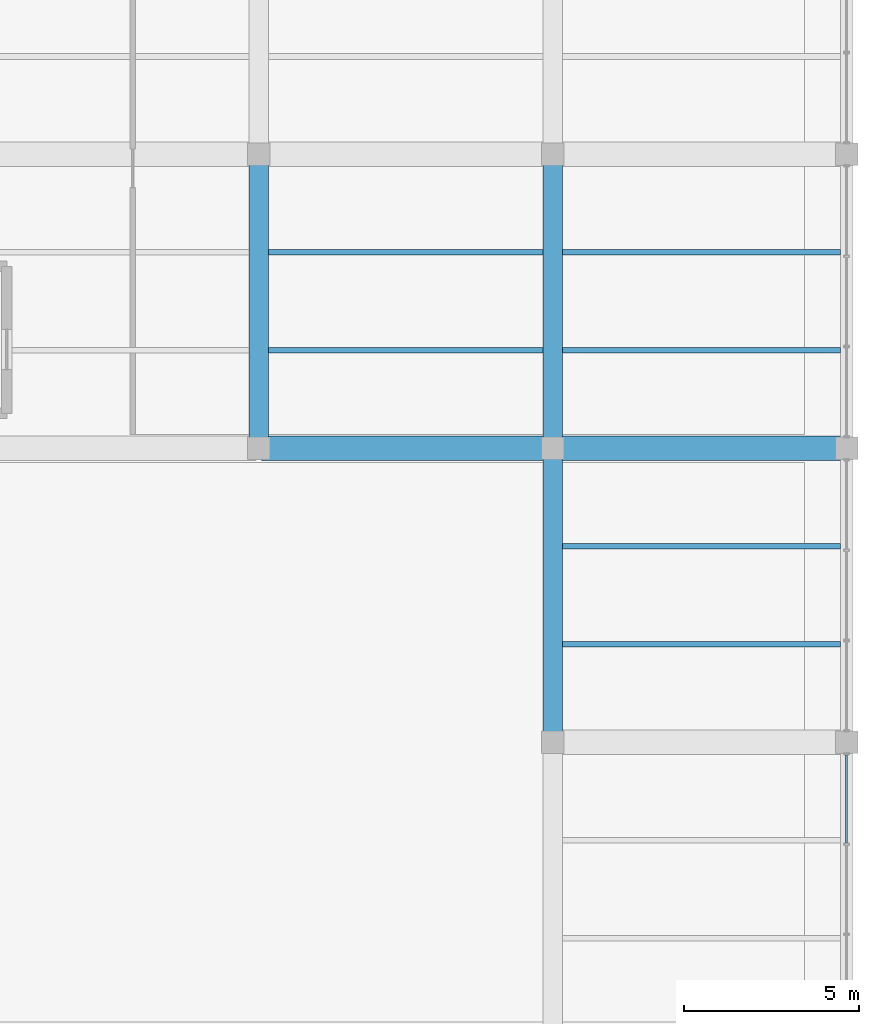
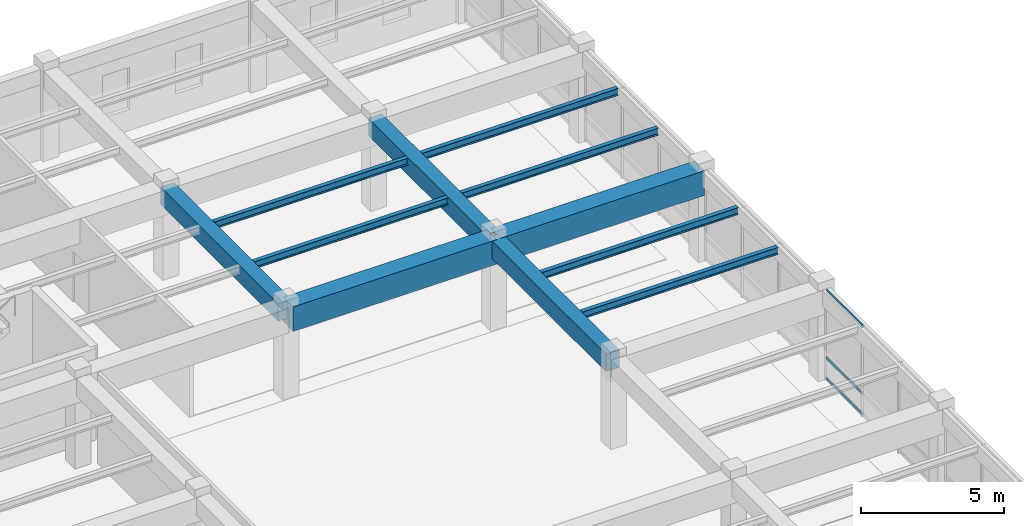
# One storey, part 95 of 138: 11 beams, 3 members, 1 element without a shape of its own.
"""IFC4 building model written with IfcOpenShell, lengths in metres."""

from ifc_helpers import new_model, si_unit, direction, frame, origin, origin_2d, place, context, subcontext, project, spatial, rectangle, hollow_rectangle, i_section, extrude, material, material_profile, profile_set, type_object, element, aggregate, save


model = new_model("IFC4")

# Units and contexts
model_context = context("Model", 3, precision=1e-05, world=origin(), true_north=direction((0.0, 1.0)))
body_context = subcontext(model_context, "Body", "Model", "MODEL_VIEW")
ifc_project = project(units=[si_unit("LENGTHUNIT", "METRE"), si_unit("AREAUNIT", "SQUARE_METRE"), si_unit("VOLUMEUNIT", "CUBIC_METRE"), si_unit("PLANEANGLEUNIT", "RADIAN"), si_unit("MASSUNIT", "GRAM", prefix="KILO"), si_unit("THERMODYNAMICTEMPERATUREUNIT", "KELVIN"), si_unit("POWERUNIT", "WATT")], contexts=[model_context])

# Site, building, storey
site_placement = place(None, origin())
site = spatial("IfcSite", under=ifc_project, at=site_placement, CompositionType="ELEMENT")
building_placement = place(site_placement, origin())
building = spatial("IfcBuilding", under=site, at=building_placement, Name="Darbajah Civic Hall", CompositionType="ELEMENT")
storey_placement = place(building_placement, frame((0.0, 0.0, 9.60009765625)))
storey = spatial("IfcBuildingStorey", under=building, at=storey_placement, Name="L02", CompositionType="ELEMENT", Elevation=9.60009765625)

# Curtain wall, members
ifc_material_1 = material(Name="Anodised Bronze Aluminium and Low-E Glazing", Category="aluminium")
curtain_wall_type = type_object("IfcCurtainWallType", Name="Unitised Curtain Wall CW-97 7700x3850", PredefinedType="USERDEFINED", material=ifc_material_1)
curtain_wall_placement = place(storey_placement, origin())
curtain_wall = element("IfcCurtainWall", 1, at=curtain_wall_placement, inside=storey, type_object=curtain_wall_type, Name="L02 unitised curtain wall CW-V4-L02-S1-B2", ObjectType="UNITISED CURTAIN WALL", PredefinedType="USERDEFINED")
ifc_material_2 = material(Name="Anodised Bronze Aluminium", Category="aluminium")
ifc_material_profile_1 = material_profile(ifc_material_2, hollow_rectangle(XDim=0.06005859375, YDim=0.1201171875, WallThickness=0.003173828125, at=origin_2d()), Name="ALU TRANSOM 60x120")
ifc_profile_set_1 = profile_set([ifc_material_profile_1], Name="Anodised Bronze Aluminium")
member_type = type_object("IfcMemberType", Name="ALU TRANSOM 60x120", PredefinedType="USERDEFINED", material=ifc_profile_set_1)
member_1_placement = place(storey_placement, frame((178.199951171875, 78.72607421875, 0.059814453125), z_axis=(0.0, 1.0, 0.0), x_axis=(-1.0, 0.0, 0.0)))
member_1 = element("IfcMember", 2, at=member_1_placement, type_object=member_type, Name="CW-V4-L02-S1-B2 transom 3.1", ObjectType="TRANSOM", PredefinedType="USERDEFINED", context=body_context, shape_type="SweptSolid", body=[
    extrude(hollow_rectangle(XDim=0.06005859375, YDim=0.1201171875, WallThickness=0.003173828125, at=origin_2d()), origin(), (0.0, 0.0, 1.0), 2.511962890625),
])
member_2_placement = place(storey_placement, frame((178.199951171875, 78.72607421875, 0.949951171875), z_axis=(0.0, 1.0, 0.0), x_axis=(-1.0, 0.0, 0.0)))
member_2 = element("IfcMember", 3, at=member_2_placement, type_object=member_type, Name="CW-V4-L02-S1-B2 transom 3.2", ObjectType="TRANSOM", PredefinedType="USERDEFINED", context=body_context, shape_type="SweptSolid", body=[
    extrude(hollow_rectangle(XDim=0.06005859375, YDim=0.1201171875, WallThickness=0.003173828125, at=origin_2d()), origin(), (0.0, 0.0, 1.0), 2.511962890625),
])
member_3_placement = place(storey_placement, frame((178.199951171875, 78.72607421875, 3.7998046875), z_axis=(0.0, 1.0, 0.0), x_axis=(-1.0, 0.0, 0.0)))
member_3 = element("IfcMember", 4, at=member_3_placement, type_object=member_type, Name="CW-V4-L02-S1-B2 transom 3.3", ObjectType="TRANSOM", PredefinedType="USERDEFINED", context=body_context, shape_type="SweptSolid", body=[
    extrude(hollow_rectangle(XDim=0.06005859375, YDim=0.1201171875, WallThickness=0.003173828125, at=origin_2d()), origin(), (0.0, 0.0, 1.0), 2.511962890625),
])
aggregate(curtain_wall, [member_1, member_2, member_3])

# Beams
ifc_material_3 = material(Name="Concrete C45/55", Category="concrete")
ifc_material_profile_2 = material_profile(ifc_material_3, rectangle(XDim=0.550048828125, YDim=0.75, at=origin_2d()), Name="RC BEAM 550x750")
ifc_profile_set_2 = profile_set([ifc_material_profile_2], Name="Concrete C45/55")
beam_type_1 = type_object("IfcBeamType", Name="RC BEAM 550x750", PredefinedType="BEAM", material=ifc_profile_set_2)
for number, where, z_axis, x_axis, name in (
    (5, (161.39990234375, 90.080078125, 3.48486328125), (0.0, 1.0, 0.0), (-1.0, 0.0, 0.0), "L02 beam BM-5575"),
    (6, (169.800048828125, 81.679931640625, 3.48486328125), (0.0, 1.0, 0.0), (-1.0, 0.0, 0.0), "L02 beam BM-5575"),
    (7, (169.800048828125, 90.080078125, 3.48486328125), (0.0, 1.0, 0.0), (-1.0, 0.0, 0.0), "L02 beam BM-5575"),
):
    element("IfcBeam", number, at=place(storey_placement, frame(where, z_axis=z_axis, x_axis=x_axis)), inside=storey, type_object=beam_type_1, Name=name, PredefinedType="BEAM", context=body_context, shape_type="SweptSolid", body=[
        extrude(rectangle(XDim=0.550048828125, YDim=0.75, at=origin_2d()), origin(), (0.0, 0.0, 1.0), 8.239990234375),
    ])
ifc_material_4 = material(Name="Concrete C50/60", Category="concrete")
ifc_material_profile_3 = material_profile(ifc_material_4, rectangle(XDim=0.699951171875, YDim=1.050048828125, at=origin_2d()), Name="RC GIRDER 700x1050")
ifc_profile_set_3 = profile_set([ifc_material_profile_3], Name="Concrete C50/60")
beam_type_2 = type_object("IfcBeamType", Name="RC GIRDER 700x1050", PredefinedType="BEAM", material=ifc_profile_set_3)
beam_1_placement = place(storey_placement, frame((161.47998046875, 90.0, 3.3349609375), z_axis=(1.0, 0.0, 0.0), x_axis=(0.0, 1.0, 0.0)))
element("IfcBeam", 8, at=beam_1_placement, inside=storey, type_object=beam_type_2, Name="L02 beam BG-7010", PredefinedType="BEAM", context=body_context, shape_type="SweptSolid", body=[
    extrude(rectangle(XDim=0.699951171875, YDim=1.050048828125, at=origin_2d()), origin(), (0.0, 0.0, 1.0), 8.239990234375),
])
beam_2_placement = place(storey_placement, frame((169.8798828125, 90.0, 3.3349609375), z_axis=(1.0, 0.0, 0.0), x_axis=(0.0, 1.0, 0.0)))
element("IfcBeam", 9, at=beam_2_placement, inside=storey, type_object=beam_type_2, Name="L02 beam BG-7010", PredefinedType="BEAM", context=body_context, shape_type="SweptSolid", body=[
    extrude(rectangle(XDim=0.699951171875, YDim=1.050048828125, at=origin_2d()), origin(), (0.0, 0.0, 1.0), 8.240234375),
])
ifc_material_5 = material(Name="Steel S355JR", Category="steel")
ifc_material_profile_4 = material_profile(ifc_material_5, i_section(OverallWidth=0.165771484375, OverallDepth=0.306640625, WebThickness=0.006591796875, FlangeThickness=0.01171875, FilletRadius=0.0087890625, at=origin_2d()), Name="UB 305x165x46")
ifc_profile_set_4 = profile_set([ifc_material_profile_4], Name="Steel S355JR")
beam_type_3 = type_object("IfcBeamType", Name="UB 305x165x46", PredefinedType="JOIST", material=ifc_profile_set_4)
for number, where, z_axis, x_axis, name in (
    (10, (161.675048828125, 92.800048828125, 3.70654296875), (1.0, 0.0, 0.0), (0.0, 1.0, 0.0), "L02 beam SJ-305"),
    (11, (161.675048828125, 95.60009765625, 3.70654296875), (1.0, 0.0, 0.0), (0.0, 1.0, 0.0), "L02 beam SJ-305"),
):
    element("IfcBeam", number, at=place(storey_placement, frame(where, z_axis=z_axis, x_axis=x_axis)), inside=storey, type_object=beam_type_3, Name=name, PredefinedType="JOIST", context=body_context, shape_type="SweptSolid", body=[
        extrude(i_section(OverallWidth=0.165771484375, OverallDepth=0.306640625, WebThickness=0.006591796875, FlangeThickness=0.01171875, FilletRadius=0.0087890625, at=origin_2d()), origin(), (0.0, 0.0, 1.0), 7.849853515625),
    ])
for number, where, z_axis, x_axis, name in (
    (12, (170.074951171875, 84.39990234375, 3.70654296875), (1.0, 0.0, 0.0), (0.0, 1.0, 0.0), "L02 beam SJ-305"),
    (13, (170.074951171875, 87.199951171875, 3.70654296875), (1.0, 0.0, 0.0), (0.0, 1.0, 0.0), "L02 beam SJ-305"),
    (14, (170.074951171875, 92.800048828125, 3.70654296875), (1.0, 0.0, 0.0), (0.0, 1.0, 0.0), "L02 beam SJ-305"),
    (15, (170.074951171875, 95.60009765625, 3.70654296875), (1.0, 0.0, 0.0), (0.0, 1.0, 0.0), "L02 beam SJ-305"),
):
    element("IfcBeam", number, at=place(storey_placement, frame(where, z_axis=z_axis, x_axis=x_axis)), inside=storey, type_object=beam_type_3, Name=name, PredefinedType="JOIST", context=body_context, shape_type="SweptSolid", body=[
        extrude(i_section(OverallWidth=0.165771484375, OverallDepth=0.306640625, WebThickness=0.006591796875, FlangeThickness=0.01171875, FilletRadius=0.0087890625, at=origin_2d()), origin(), (0.0, 0.0, 1.0), 7.949951171875),
    ])

save(model, "model.ifc")
